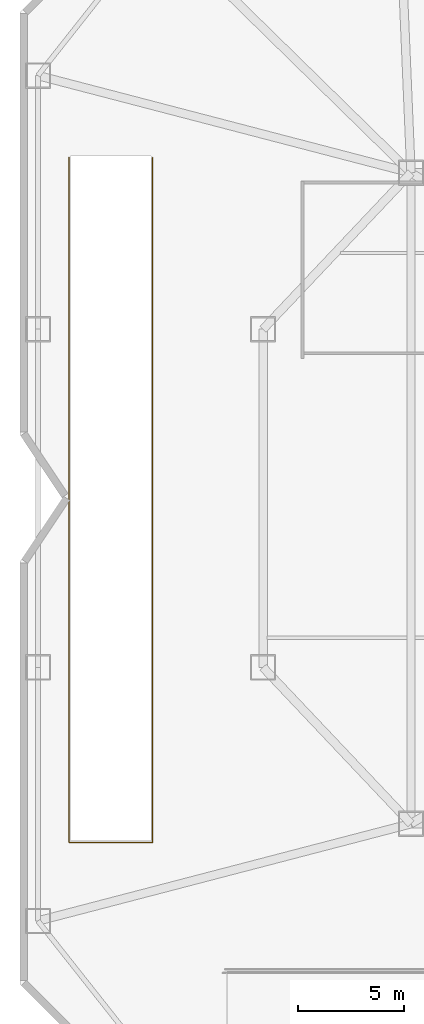
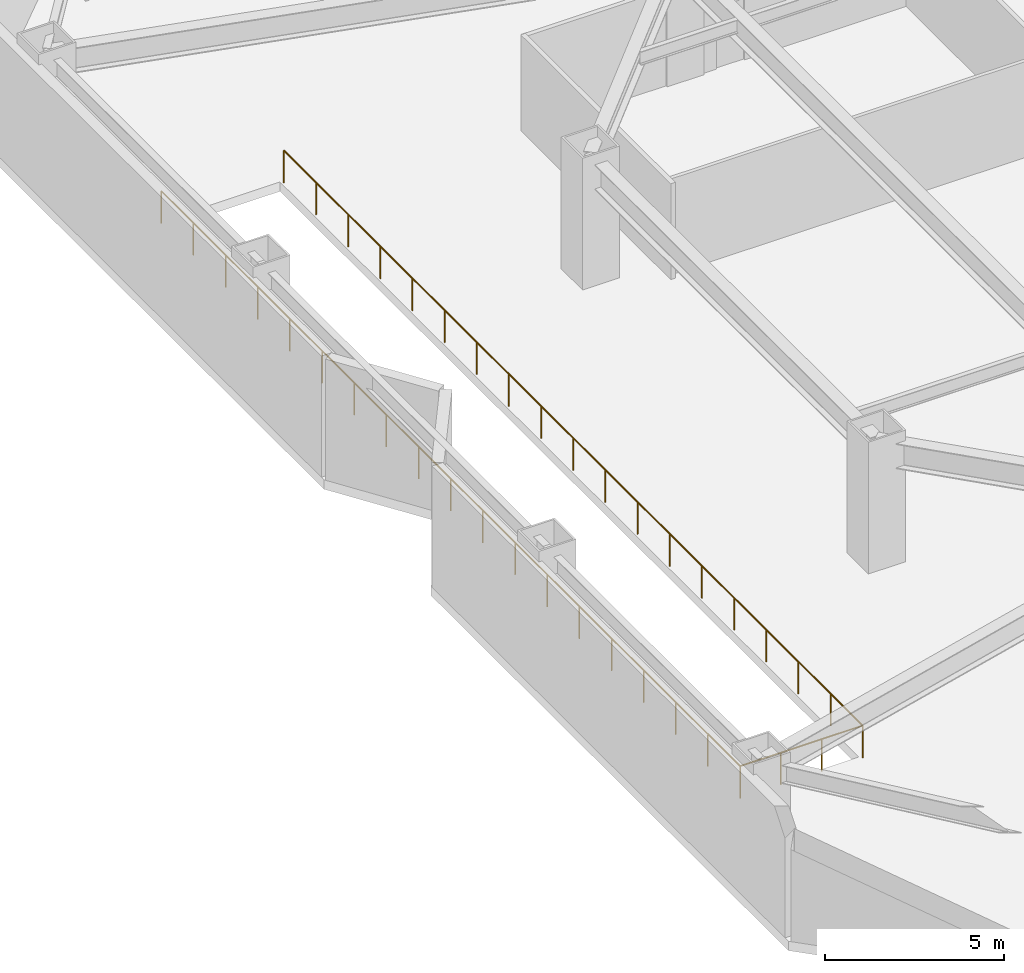
# One storey, part 13 of 14: 1 railing.
"""IFC4 building model written with IfcOpenShell, lengths in metres."""

from ifc_helpers import new_model, si_unit, direction, frame, origin, origin_2d, place, context, subcontext, project, spatial, circle, extrude, material, type_object, element, save


model = new_model("IFC4")

# Units and contexts
model_context = context("Model", 3, precision=1e-05, world=origin(), true_north=direction((0.0, 1.0)))
body_context = subcontext(model_context, "Body", "Model", "MODEL_VIEW")
ifc_project = project(units=[si_unit("LENGTHUNIT", "METRE"), si_unit("AREAUNIT", "SQUARE_METRE"), si_unit("VOLUMEUNIT", "CUBIC_METRE"), si_unit("PLANEANGLEUNIT", "RADIAN"), si_unit("MASSUNIT", "GRAM", prefix="KILO")], contexts=[model_context])

# Site, building, storey
site_placement = place(None, origin())
site = spatial("IfcSite", under=ifc_project, at=site_placement, CompositionType="ELEMENT")
building_placement = place(site_placement, origin())
building = spatial("IfcBuilding", under=site, at=building_placement, Name="Khamvora Tower", CompositionType="ELEMENT")
storey_placement = place(building_placement, frame((0.0, 0.0, -4.5)))
storey = spatial("IfcBuildingStorey", under=building, at=storey_placement, Name="B1", CompositionType="ELEMENT", Elevation=-4.5)

# Railing
ifc_material = material(Name="Stainless Steel 316", Category="steel")
railing_type = type_object("IfcRailingType", Name="RAL-VOID-1120", PredefinedType="GUARDRAIL", material=ifc_material)
railing_placement = place(storey_placement, frame((2.320068359375, 44.1201171875, 0.0)))
element("IfcRailing", 1, at=railing_placement, inside=storey, type_object=railing_type, Name="B1 vehicle ramp opening safety guardrail", PredefinedType="GUARDRAIL", context=body_context, shape_type="SweptSolid", body=[
    extrude(circle(Radius=0.02392578125, at=origin_2d()), frame((0.0, 0.0, 1.09619140625), z_axis=(0.0, -1.0, 0.0), x_axis=(1.0, 0.0, 0.0)), (0.0, 0.0, 1.0), 32.400146484375),
    extrude(circle(Radius=0.02392578125, at=origin_2d()), frame((0.0, -32.400146484375, 1.09619140625), z_axis=(1.0, 0.0, 0.0), x_axis=(0.0, 1.0, 0.0)), (0.0, 0.0, 1.0), 3.9599609375),
    extrude(circle(Radius=0.02392578125, at=origin_2d()), frame((3.9599609375, -32.400146484375, 1.09619140625), z_axis=(0.0, 1.0, 0.0), x_axis=(-1.0, 0.0, 0.0)), (0.0, 0.0, 1.0), 32.400146484375),
    extrude(circle(Radius=0.02099609375, at=origin_2d()), origin(), (0.0, 0.0, 1.0), 1.072021484375),
    extrude(circle(Radius=0.02099609375, at=origin_2d()), frame((0.0, -1.800048828125, 0.0)), (0.0, 0.0, 1.0), 1.072021484375),
    extrude(circle(Radius=0.02099609375, at=origin_2d()), frame((0.0, -3.60009765625, 0.0)), (0.0, 0.0, 1.0), 1.072021484375),
    extrude(circle(Radius=0.02099609375, at=origin_2d()), frame((0.0, -5.39990234375, 0.0)), (0.0, 0.0, 1.0), 1.072021484375),
    extrude(circle(Radius=0.02099609375, at=origin_2d()), frame((0.0, -7.199951171875, 0.0)), (0.0, 0.0, 1.0), 1.072021484375),
    extrude(circle(Radius=0.02099609375, at=origin_2d()), frame((0.0, -9.0, 0.0)), (0.0, 0.0, 1.0), 1.072021484375),
    extrude(circle(Radius=0.02099609375, at=origin_2d()), frame((0.0, -10.800048828125, 0.0)), (0.0, 0.0, 1.0), 1.072021484375),
    extrude(circle(Radius=0.02099609375, at=origin_2d()), frame((0.0, -12.60009765625, 0.0)), (0.0, 0.0, 1.0), 1.072021484375),
    extrude(circle(Radius=0.02099609375, at=origin_2d()), frame((0.0, -14.400146484375, 0.0)), (0.0, 0.0, 1.0), 1.072021484375),
    extrude(circle(Radius=0.02099609375, at=origin_2d()), frame((0.0, -16.2001953125, 0.0)), (0.0, 0.0, 1.0), 1.072021484375),
    extrude(circle(Radius=0.02099609375, at=origin_2d()), frame((0.0, -18.0, 0.0)), (0.0, 0.0, 1.0), 1.072021484375),
    extrude(circle(Radius=0.02099609375, at=origin_2d()), frame((0.0, -19.800048828125, 0.0)), (0.0, 0.0, 1.0), 1.072021484375),
    extrude(circle(Radius=0.02099609375, at=origin_2d()), frame((0.0, -21.60009765625, 0.0)), (0.0, 0.0, 1.0), 1.072021484375),
    extrude(circle(Radius=0.02099609375, at=origin_2d()), frame((0.0, -23.400146484375, 0.0)), (0.0, 0.0, 1.0), 1.072021484375),
    extrude(circle(Radius=0.02099609375, at=origin_2d()), frame((0.0, -25.2001953125, 0.0)), (0.0, 0.0, 1.0), 1.072021484375),
    extrude(circle(Radius=0.02099609375, at=origin_2d()), frame((0.0, -27.0, 0.0)), (0.0, 0.0, 1.0), 1.072021484375),
    extrude(circle(Radius=0.02099609375, at=origin_2d()), frame((0.0, -28.800048828125, 0.0)), (0.0, 0.0, 1.0), 1.072021484375),
    extrude(circle(Radius=0.02099609375, at=origin_2d()), frame((0.0, -30.60009765625, 0.0)), (0.0, 0.0, 1.0), 1.072021484375),
    extrude(circle(Radius=0.02099609375, at=origin_2d()), frame((0.0, -32.400146484375, 0.0)), (0.0, 0.0, 1.0), 1.072021484375),
    extrude(circle(Radius=0.02099609375, at=origin_2d()), frame((1.320068359375, -32.400146484375, 0.0)), (0.0, 0.0, 1.0), 1.072021484375),
    extrude(circle(Radius=0.02099609375, at=origin_2d()), frame((2.639892578125, -32.400146484375, 0.0)), (0.0, 0.0, 1.0), 1.072021484375),
    extrude(circle(Radius=0.02099609375, at=origin_2d()), frame((3.9599609375, -32.400146484375, 0.0)), (0.0, 0.0, 1.0), 1.072021484375),
    extrude(circle(Radius=0.02099609375, at=origin_2d()), frame((3.9599609375, -30.60009765625, 0.0)), (0.0, 0.0, 1.0), 1.072021484375),
    extrude(circle(Radius=0.02099609375, at=origin_2d()), frame((3.9599609375, -28.800048828125, 0.0)), (0.0, 0.0, 1.0), 1.072021484375),
    extrude(circle(Radius=0.02099609375, at=origin_2d()), frame((3.9599609375, -27.0, 0.0)), (0.0, 0.0, 1.0), 1.072021484375),
    extrude(circle(Radius=0.02099609375, at=origin_2d()), frame((3.9599609375, -25.2001953125, 0.0)), (0.0, 0.0, 1.0), 1.072021484375),
    extrude(circle(Radius=0.02099609375, at=origin_2d()), frame((3.9599609375, -23.400146484375, 0.0)), (0.0, 0.0, 1.0), 1.072021484375),
    extrude(circle(Radius=0.02099609375, at=origin_2d()), frame((3.9599609375, -21.60009765625, 0.0)), (0.0, 0.0, 1.0), 1.072021484375),
    extrude(circle(Radius=0.02099609375, at=origin_2d()), frame((3.9599609375, -19.800048828125, 0.0)), (0.0, 0.0, 1.0), 1.072021484375),
    extrude(circle(Radius=0.02099609375, at=origin_2d()), frame((3.9599609375, -18.0, 0.0)), (0.0, 0.0, 1.0), 1.072021484375),
    extrude(circle(Radius=0.02099609375, at=origin_2d()), frame((3.9599609375, -16.2001953125, 0.0)), (0.0, 0.0, 1.0), 1.072021484375),
    extrude(circle(Radius=0.02099609375, at=origin_2d()), frame((3.9599609375, -14.400146484375, 0.0)), (0.0, 0.0, 1.0), 1.072021484375),
    extrude(circle(Radius=0.02099609375, at=origin_2d()), frame((3.9599609375, -12.60009765625, 0.0)), (0.0, 0.0, 1.0), 1.072021484375),
    extrude(circle(Radius=0.02099609375, at=origin_2d()), frame((3.9599609375, -10.800048828125, 0.0)), (0.0, 0.0, 1.0), 1.072021484375),
    extrude(circle(Radius=0.02099609375, at=origin_2d()), frame((3.9599609375, -9.0, 0.0)), (0.0, 0.0, 1.0), 1.072021484375),
    extrude(circle(Radius=0.02099609375, at=origin_2d()), frame((3.9599609375, -7.199951171875, 0.0)), (0.0, 0.0, 1.0), 1.072021484375),
    extrude(circle(Radius=0.02099609375, at=origin_2d()), frame((3.9599609375, -5.39990234375, 0.0)), (0.0, 0.0, 1.0), 1.072021484375),
    extrude(circle(Radius=0.02099609375, at=origin_2d()), frame((3.9599609375, -3.60009765625, 0.0)), (0.0, 0.0, 1.0), 1.072021484375),
    extrude(circle(Radius=0.02099609375, at=origin_2d()), frame((3.9599609375, -1.800048828125, 0.0)), (0.0, 0.0, 1.0), 1.072021484375),
    extrude(circle(Radius=0.02099609375, at=origin_2d()), frame((3.9599609375, 0.0, 0.0)), (0.0, 0.0, 1.0), 1.072021484375),
])

save(model, "model.ifc")
